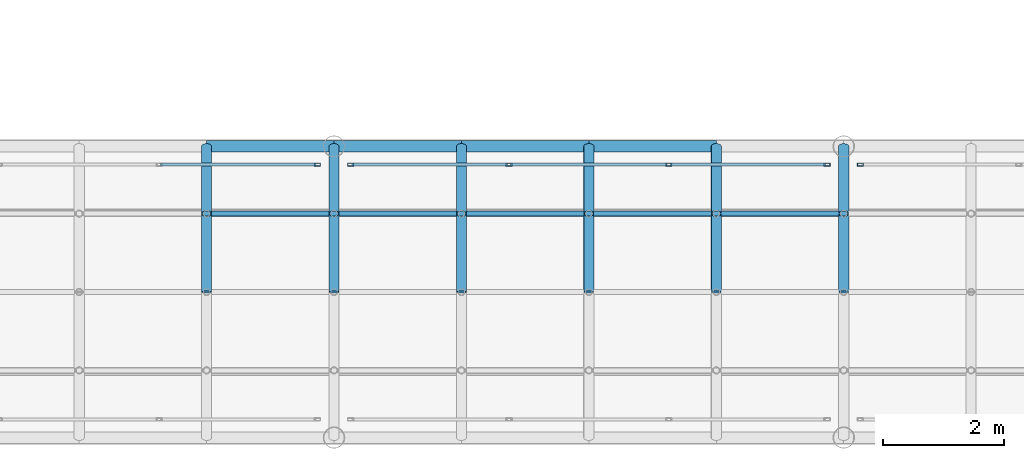
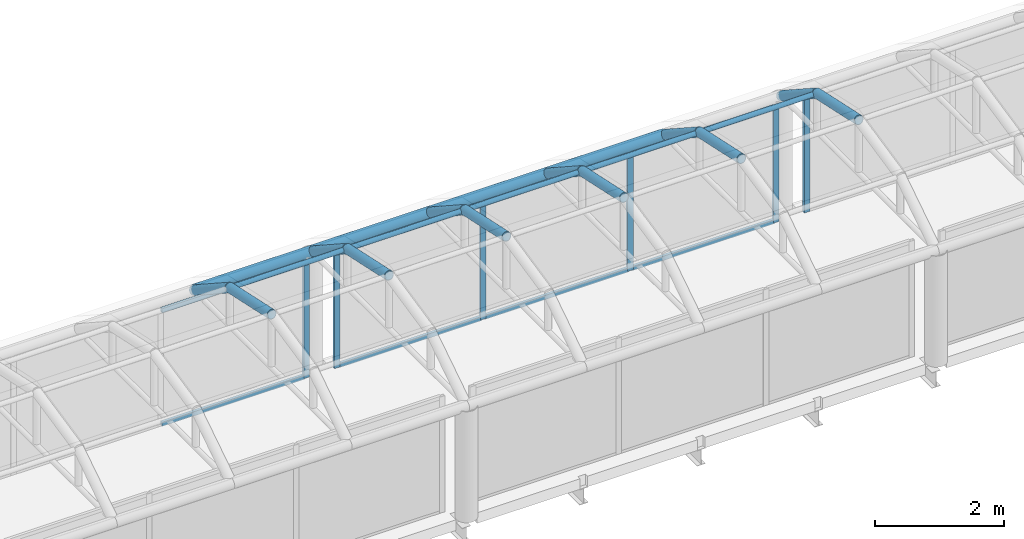
# One storey, part 41 of 167: 35 members, 3 elements without a shape of their own.
"""IFC4 building model written with IfcOpenShell, lengths in metres."""

from ifc_helpers import new_model, si_unit, direction, frame, origin, origin_2d, place, context, subcontext, project, spatial, hollow_rectangle, hollow_circle, extrude, material, material_profile, profile_set, type_object, element, aggregate, save


model = new_model("IFC4")

# Units and contexts
model_context = context("Model", 3, precision=1e-05, world=origin(), true_north=direction((0.0, 1.0)))
body_context = subcontext(model_context, "Body", "Model", "MODEL_VIEW")
ifc_project = project(units=[si_unit("LENGTHUNIT", "METRE"), si_unit("AREAUNIT", "SQUARE_METRE"), si_unit("VOLUMEUNIT", "CUBIC_METRE"), si_unit("PLANEANGLEUNIT", "RADIAN"), si_unit("MASSUNIT", "GRAM", prefix="KILO")], contexts=[model_context])

# Site, building, storey
site_placement = place(None, origin())
site = spatial("IfcSite", under=ifc_project, at=site_placement, CompositionType="ELEMENT")
building_placement = place(site_placement, origin())
building = spatial("IfcBuilding", under=site, at=building_placement, Name="Catenary Quay Ferry Terminal", CompositionType="ELEMENT")
storey_placement = place(building_placement, frame((0.0, 0.0, 6.0)))
storey = spatial("IfcBuildingStorey", under=building, at=storey_placement, Name="L01", CompositionType="ELEMENT", Elevation=6.0)

# Curtain wall, member
ifc_material_1 = material(Name="Aluminium and glass", Category="aluminium")
curtain_wall_type = type_object("IfcCurtainWallType", Name="CWB", PredefinedType="NOTDEFINED", material=ifc_material_1)
curtain_wall_1_placement = place(storey_placement, origin())
curtain_wall_1 = element("IfcCurtainWall", 1, at=curtain_wall_1_placement, inside=storey, type_object=curtain_wall_type, Name="BB1 curtain wall CW61", PredefinedType="NOTDEFINED")
ifc_material_2 = material(Name="Aluminium", Category="aluminium")
ifc_material_profile_1 = material_profile(ifc_material_2, hollow_rectangle(XDim=0.050048828125, YDim=0.10009765625, WallThickness=0.0048828125, at=origin_2d()), Name="MU1")
ifc_profile_set_1 = profile_set([ifc_material_profile_1], Name="Aluminium")
member_type_1 = type_object("IfcMemberType", Name="MU1", PredefinedType="MULLION", material=ifc_profile_set_1)
member_1_placement = place(storey_placement, frame((108.925048828125, 77.699951171875, 0.0), z_axis=(0.0, 0.0, 1.0), x_axis=(0.0, 1.0, 0.0)))
member_1 = element("IfcMember", 2, at=member_1_placement, type_object=member_type_1, Name="CW61 mullion 4", PredefinedType="MULLION", context=body_context, shape_type="SweptSolid", body=[
    extrude(hollow_rectangle(XDim=0.050048828125, YDim=0.10009765625, WallThickness=0.0048828125, at=origin_2d()), origin(), (0.0, 0.0, 1.0), 2.195068359375),
])

# Curtain wall, members
curtain_wall_2_placement = place(storey_placement, origin())
curtain_wall_2 = element("IfcCurtainWall", 3, at=curtain_wall_2_placement, inside=storey, type_object=curtain_wall_type, Name="BB1 curtain wall CW62", PredefinedType="NOTDEFINED")
member_2_placement = place(storey_placement, frame((109.47509765625, 77.699951171875, 0.0), z_axis=(0.0, 0.0, 1.0), x_axis=(0.0, 1.0, 0.0)))
member_2 = element("IfcMember", 4, at=member_2_placement, type_object=member_type_1, Name="CW62 mullion 1", PredefinedType="MULLION", context=body_context, shape_type="SweptSolid", body=[
    extrude(hollow_rectangle(XDim=0.050048828125, YDim=0.10009765625, WallThickness=0.0048828125, at=origin_2d()), origin(), (0.0, 0.0, 1.0), 2.195068359375),
])
member_3_placement = place(storey_placement, frame((112.083251953125, 77.699951171875, 0.0), z_axis=(0.0, 0.0, 1.0), x_axis=(0.0, 1.0, 0.0)))
member_3 = element("IfcMember", 5, at=member_3_placement, type_object=member_type_1, Name="CW62 mullion 2", PredefinedType="MULLION", context=body_context, shape_type="SweptSolid", body=[
    extrude(hollow_rectangle(XDim=0.050048828125, YDim=0.10009765625, WallThickness=0.0048828125, at=origin_2d()), origin(), (0.0, 0.0, 1.0), 2.195068359375),
])
member_4_placement = place(storey_placement, frame((114.716552734375, 77.699951171875, 0.0), z_axis=(0.0, 0.0, 1.0), x_axis=(0.0, 1.0, 0.0)))
member_4 = element("IfcMember", 6, at=member_4_placement, type_object=member_type_1, Name="CW62 mullion 3", PredefinedType="MULLION", context=body_context, shape_type="SweptSolid", body=[
    extrude(hollow_rectangle(XDim=0.050048828125, YDim=0.10009765625, WallThickness=0.0048828125, at=origin_2d()), origin(), (0.0, 0.0, 1.0), 2.195068359375),
])
member_5_placement = place(storey_placement, frame((117.324951171875, 77.699951171875, 0.0), z_axis=(0.0, 0.0, 1.0), x_axis=(0.0, 1.0, 0.0)))
member_5 = element("IfcMember", 7, at=member_5_placement, type_object=member_type_1, Name="CW62 mullion 4", PredefinedType="MULLION", context=body_context, shape_type="SweptSolid", body=[
    extrude(hollow_rectangle(XDim=0.050048828125, YDim=0.10009765625, WallThickness=0.0048828125, at=origin_2d()), origin(), (0.0, 0.0, 1.0), 2.195068359375),
])

# Curtain wall, member
curtain_wall_3_placement = place(storey_placement, origin())
curtain_wall_3 = element("IfcCurtainWall", 8, at=curtain_wall_3_placement, inside=storey, type_object=curtain_wall_type, Name="BB1 curtain wall CW63", PredefinedType="NOTDEFINED")
member_6_placement = place(storey_placement, frame((117.875, 77.699951171875, 0.0), z_axis=(0.0, 0.0, 1.0), x_axis=(0.0, 1.0, 0.0)))
member_6 = element("IfcMember", 9, at=member_6_placement, type_object=member_type_1, Name="CW63 mullion 1", PredefinedType="MULLION", context=body_context, shape_type="SweptSolid", body=[
    extrude(hollow_rectangle(XDim=0.050048828125, YDim=0.10009765625, WallThickness=0.0048828125, at=origin_2d()), origin(), (0.0, 0.0, 1.0), 2.195068359375),
])
aggregate(curtain_wall_3, [member_6])

# Members
ifc_material_3 = material(Name="Steel S355", Category="steel")
ifc_material_profile_2 = material_profile(ifc_material_3, hollow_circle(Radius=0.04443359375, WallThickness=0.0048828125, at=origin_2d()), Name="CHS 88.9x5")
ifc_profile_set_2 = profile_set([ifc_material_profile_2], Name="Steel S355")
member_type_2 = type_object("IfcMemberType", Name="PU3 CHS 88.9x5", PredefinedType="PURLIN", material=ifc_profile_set_2)
member_7_placement = place(storey_placement, frame((107.179931640625, 76.89208984375, 2.821044921875), z_axis=(1.0, 0.0, 0.0), x_axis=(0.0, 1.0, 0.0)))
element("IfcMember", 10, at=member_7_placement, inside=storey, type_object=member_type_2, Name="Purlin PU-RB1-08-03", PredefinedType="PURLIN", context=body_context, shape_type="SweptSolid", body=[
    extrude(hollow_circle(Radius=0.04443359375, WallThickness=0.0048828125, at=origin_2d()), origin(), (0.0, 0.0, 1.0), 1.940185546875),
])
member_8_placement = place(storey_placement, frame((109.280029296875, 76.89208984375, 2.821044921875), z_axis=(1.0, 0.0, 0.0), x_axis=(0.0, 1.0, 0.0)))
element("IfcMember", 11, at=member_8_placement, inside=storey, type_object=member_type_2, Name="Purlin PU-RB1-09-03", PredefinedType="PURLIN", context=body_context, shape_type="SweptSolid", body=[
    extrude(hollow_circle(Radius=0.04443359375, WallThickness=0.0048828125, at=origin_2d()), origin(), (0.0, 0.0, 1.0), 1.93994140625),
])
member_9_placement = place(storey_placement, frame((111.3798828125, 76.89208984375, 2.821044921875), z_axis=(1.0, 0.0, 0.0), x_axis=(0.0, 1.0, 0.0)))
element("IfcMember", 12, at=member_9_placement, inside=storey, type_object=member_type_2, Name="Purlin PU-RB1-10-03", PredefinedType="PURLIN", context=body_context, shape_type="SweptSolid", body=[
    extrude(hollow_circle(Radius=0.04443359375, WallThickness=0.0048828125, at=origin_2d()), origin(), (0.0, 0.0, 1.0), 1.940185546875),
])
for number, where, z_axis, x_axis, name in (
    (13, (113.47998046875, 76.89208984375, 2.821044921875), (1.0, 0.0, 0.0), (0.0, 1.0, 0.0), "Purlin PU-RB1-11-03"),
    (14, (115.580078125, 76.89208984375, 2.821044921875), (1.0, 0.0, 0.0), (0.0, 1.0, 0.0), "Purlin PU-RB1-12-03"),
):
    element("IfcMember", number, at=place(storey_placement, frame(where, z_axis=z_axis, x_axis=x_axis)), inside=storey, type_object=member_type_2, Name=name, PredefinedType="PURLIN", context=body_context, shape_type="SweptSolid", body=[
        extrude(hollow_circle(Radius=0.04443359375, WallThickness=0.0048828125, at=origin_2d()), origin(), (0.0, 0.0, 1.0), 1.93994140625),
    ])
ifc_material_4 = material(Name="Steel S355", Category="steel")
ifc_material_profile_3 = material_profile(ifc_material_4, hollow_circle(Radius=0.096923828125, WallThickness=0.010009765625, at=origin_2d()), Name="CHS 193.7x10")
ifc_profile_set_3 = profile_set([ifc_material_profile_3], Name="Steel S355")
member_type_3 = type_object("IfcMemberType", Name="TC2 CHS 193.7x10", PredefinedType="CHORD", material=ifc_profile_set_3)
member_10_placement = place(storey_placement, frame((107.10009765625, 78.0, 2.10009765625), z_axis=(1.0, 0.0, 0.0), x_axis=(0.0, 1.0, 0.0)))
element("IfcMember", 15, at=member_10_placement, inside=storey, type_object=member_type_3, Name="Bridge top chord BB1N-TC08", PredefinedType="CHORD", context=body_context, shape_type="SweptSolid", body=[
    extrude(hollow_circle(Radius=0.096923828125, WallThickness=0.010009765625, at=origin_2d()), origin(), (0.0, 0.0, 1.0), 2.099853515625),
])
member_11_placement = place(storey_placement, frame((109.199951171875, 78.0, 2.10009765625), z_axis=(1.0, 0.0, 0.0), x_axis=(0.0, 1.0, 0.0)))
element("IfcMember", 16, at=member_11_placement, inside=storey, type_object=member_type_3, Name="Bridge top chord BB1N-TC09", PredefinedType="CHORD", context=body_context, shape_type="SweptSolid", body=[
    extrude(hollow_circle(Radius=0.096923828125, WallThickness=0.010009765625, at=origin_2d()), origin(), (0.0, 0.0, 1.0), 2.10009765625),
])
member_12_placement = place(storey_placement, frame((111.300048828125, 78.0, 2.10009765625), z_axis=(1.0, 0.0, 0.0), x_axis=(0.0, 1.0, 0.0)))
element("IfcMember", 17, at=member_12_placement, inside=storey, type_object=member_type_3, Name="Bridge top chord BB1N-TC10", PredefinedType="CHORD", context=body_context, shape_type="SweptSolid", body=[
    extrude(hollow_circle(Radius=0.096923828125, WallThickness=0.010009765625, at=origin_2d()), origin(), (0.0, 0.0, 1.0), 2.099853515625),
])
member_13_placement = place(storey_placement, frame((113.39990234375, 78.0, 2.10009765625), z_axis=(1.0, 0.0, 0.0), x_axis=(0.0, 1.0, 0.0)))
element("IfcMember", 18, at=member_13_placement, inside=storey, type_object=member_type_3, Name="Bridge top chord BB1N-TC11", PredefinedType="CHORD", context=body_context, shape_type="SweptSolid", body=[
    extrude(hollow_circle(Radius=0.096923828125, WallThickness=0.010009765625, at=origin_2d()), origin(), (0.0, 0.0, 1.0), 2.10009765625),
])

# Member
ifc_material_5 = material(Name="Aluminium", Category="aluminium")
ifc_material_profile_4 = material_profile(ifc_material_5, hollow_rectangle(XDim=0.050048828125, YDim=0.080078125, WallThickness=0.00390625, at=origin_2d()), Name="TR1")
ifc_profile_set_4 = profile_set([ifc_material_profile_4], Name="Aluminium")
member_type_4 = type_object("IfcMemberType", Name="TR1", PredefinedType="USERDEFINED", material=ifc_profile_set_4)
member_14_placement = place(storey_placement, frame((106.341552734375, 77.699951171875, 0.02490234375), z_axis=(1.0, 0.0, 0.0), x_axis=(0.0, 1.0, 0.0)))
member_14 = element("IfcMember", 19, at=member_14_placement, type_object=member_type_4, Name="CW61 transom 3.1", ObjectType="TRANSOM", PredefinedType="USERDEFINED", context=body_context, shape_type="SweptSolid", body=[
    extrude(hollow_rectangle(XDim=0.050048828125, YDim=0.080078125, WallThickness=0.00390625, at=origin_2d()), origin(), (0.0, 0.0, 1.0), 2.558349609375),
])

member_15_placement = place(storey_placement, frame((106.341552734375, 77.699951171875, 2.169921875), z_axis=(1.0, 0.0, 0.0), x_axis=(0.0, 1.0, 0.0)))
member_15 = element("IfcMember", 20, at=member_15_placement, type_object=member_type_4, Name="CW61 transom 3.2", ObjectType="TRANSOM", PredefinedType="USERDEFINED", context=body_context, shape_type="SweptSolid", body=[
    extrude(hollow_rectangle(XDim=0.050048828125, YDim=0.080078125, WallThickness=0.00390625, at=origin_2d()), origin(), (0.0, 0.0, 1.0), 2.558349609375),
])

aggregate(curtain_wall_1, [member_1, member_14, member_15])

member_16_placement = place(storey_placement, frame((109.5, 77.699951171875, 0.02490234375), z_axis=(1.0, 0.0, 0.0), x_axis=(0.0, 1.0, 0.0)))
member_16 = element("IfcMember", 21, at=member_16_placement, type_object=member_type_4, Name="CW62 transom 1.1", ObjectType="TRANSOM", PredefinedType="USERDEFINED", context=body_context, shape_type="SweptSolid", body=[
    extrude(hollow_rectangle(XDim=0.050048828125, YDim=0.080078125, WallThickness=0.00390625, at=origin_2d()), origin(), (0.0, 0.0, 1.0), 2.558349609375),
])

member_17_placement = place(storey_placement, frame((109.5, 77.699951171875, 2.169921875), z_axis=(1.0, 0.0, 0.0), x_axis=(0.0, 1.0, 0.0)))
member_17 = element("IfcMember", 22, at=member_17_placement, type_object=member_type_4, Name="CW62 transom 1.2", ObjectType="TRANSOM", PredefinedType="USERDEFINED", context=body_context, shape_type="SweptSolid", body=[
    extrude(hollow_rectangle(XDim=0.050048828125, YDim=0.080078125, WallThickness=0.00390625, at=origin_2d()), origin(), (0.0, 0.0, 1.0), 2.558349609375),
])

member_18_placement = place(storey_placement, frame((112.1083984375, 77.699951171875, 0.02490234375), z_axis=(1.0, 0.0, 0.0), x_axis=(0.0, 1.0, 0.0)))
member_18 = element("IfcMember", 23, at=member_18_placement, type_object=member_type_4, Name="CW62 transom 2.1", ObjectType="TRANSOM", PredefinedType="USERDEFINED", context=body_context, shape_type="SweptSolid", body=[
    extrude(hollow_rectangle(XDim=0.050048828125, YDim=0.080078125, WallThickness=0.00390625, at=origin_2d()), origin(), (0.0, 0.0, 1.0), 2.583251953125),
])

member_19_placement = place(storey_placement, frame((112.1083984375, 77.699951171875, 2.169921875), z_axis=(1.0, 0.0, 0.0), x_axis=(0.0, 1.0, 0.0)))
member_19 = element("IfcMember", 24, at=member_19_placement, type_object=member_type_4, Name="CW62 transom 2.2", ObjectType="TRANSOM", PredefinedType="USERDEFINED", context=body_context, shape_type="SweptSolid", body=[
    extrude(hollow_rectangle(XDim=0.050048828125, YDim=0.080078125, WallThickness=0.00390625, at=origin_2d()), origin(), (0.0, 0.0, 1.0), 2.583251953125),
])

member_20_placement = place(storey_placement, frame((114.74169921875, 77.699951171875, 0.02490234375), z_axis=(1.0, 0.0, 0.0), x_axis=(0.0, 1.0, 0.0)))
member_20 = element("IfcMember", 25, at=member_20_placement, type_object=member_type_4, Name="CW62 transom 3.1", ObjectType="TRANSOM", PredefinedType="USERDEFINED", context=body_context, shape_type="SweptSolid", body=[
    extrude(hollow_rectangle(XDim=0.050048828125, YDim=0.080078125, WallThickness=0.00390625, at=origin_2d()), origin(), (0.0, 0.0, 1.0), 2.558349609375),
])

member_21_placement = place(storey_placement, frame((114.74169921875, 77.699951171875, 2.169921875), z_axis=(1.0, 0.0, 0.0), x_axis=(0.0, 1.0, 0.0)))
member_21 = element("IfcMember", 26, at=member_21_placement, type_object=member_type_4, Name="CW62 transom 3.2", ObjectType="TRANSOM", PredefinedType="USERDEFINED", context=body_context, shape_type="SweptSolid", body=[
    extrude(hollow_rectangle(XDim=0.050048828125, YDim=0.080078125, WallThickness=0.00390625, at=origin_2d()), origin(), (0.0, 0.0, 1.0), 2.558349609375),
])

aggregate(curtain_wall_2, [member_2, member_3, member_4, member_5, member_16, member_17, member_18, member_19, member_20, member_21])

# Members
ifc_material_6 = material(Name="Steel S355", Category="steel")
ifc_material_profile_5 = material_profile(ifc_material_6, hollow_circle(Radius=0.084228515625, WallThickness=0.008056640625, at=origin_2d()), Name="CHS 168.3x8")
ifc_profile_set_5 = profile_set([ifc_material_profile_5], Name="Steel S355")
member_type_5 = type_object("IfcMemberType", Name="VR4 CHS 168.3x8", PredefinedType="RAFTER", material=ifc_profile_set_5)
for number, where, z_axis, x_axis, name in (
    (27, (107.10009765625, 75.60009765625, 3.10009765625), (0.0, 0.977460543774, -0.211118178672), (-1.0, 0.0, 0.0), "rib RB1-08-03"),
    (28, (107.10009765625, 76.89208984375, 2.821044921875), (0.0, 0.838164997293, -0.545416755621), (-1.0, 0.0, 0.0), "rib RB1-08-04"),
    (29, (109.199951171875, 75.60009765625, 3.10009765625), (0.0, 0.977460543774, -0.211118178672), (-1.0, 0.0, 0.0), "rib RB1-09-03"),
    (30, (109.199951171875, 76.89208984375, 2.821044921875), (0.0, 0.838164997293, -0.545416755621), (-1.0, 0.0, 0.0), "rib RB1-09-04"),
    (31, (111.300048828125, 75.60009765625, 3.10009765625), (0.0, 0.977460543774, -0.211118178672), (-1.0, 0.0, 0.0), "rib RB1-10-03"),
    (32, (111.300048828125, 76.89208984375, 2.821044921875), (0.0, 0.838164997293, -0.545416755621), (-1.0, 0.0, 0.0), "rib RB1-10-04"),
    (33, (113.39990234375, 75.60009765625, 3.10009765625), (0.0, 0.977460543774, -0.211118178672), (-1.0, 0.0, 0.0), "rib RB1-11-03"),
    (34, (113.39990234375, 76.89208984375, 2.821044921875), (0.0, 0.838164997293, -0.545416755621), (-1.0, 0.0, 0.0), "rib RB1-11-04"),
    (35, (115.5, 75.60009765625, 3.10009765625), (0.0, 0.977460543774, -0.211118178672), (-1.0, 0.0, 0.0), "rib RB1-12-03"),
    (36, (115.5, 76.89208984375, 2.821044921875), (0.0, 0.838164997293, -0.545416755621), (-1.0, 0.0, 0.0), "rib RB1-12-04"),
    (37, (117.60009765625, 75.60009765625, 3.10009765625), (0.0, 0.977460543774, -0.211118178672), (-1.0, 0.0, 0.0), "rib RB1-13-03"),
    (38, (117.60009765625, 76.89208984375, 2.821044921875), (0.0, 0.838164997293, -0.545416755621), (-1.0, 0.0, 0.0), "rib RB1-13-04"),
):
    element("IfcMember", number, at=place(storey_placement, frame(where, z_axis=z_axis, x_axis=x_axis)), inside=storey, type_object=member_type_5, Name=name, PredefinedType="RAFTER", context=body_context, shape_type="SweptSolid", body=[
        extrude(hollow_circle(Radius=0.084228515625, WallThickness=0.008056640625, at=origin_2d()), origin(), (0.0, 0.0, 1.0), 1.32177734375),
    ])

save(model, "model.ifc")
